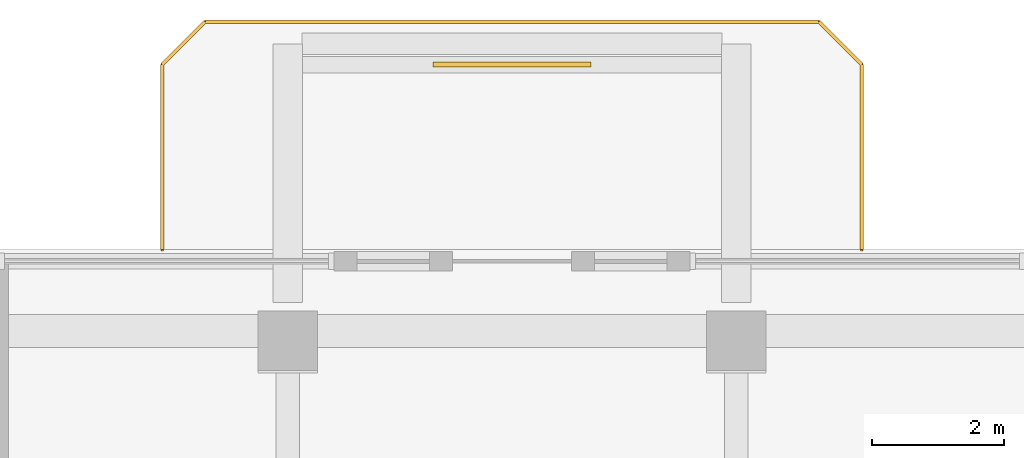
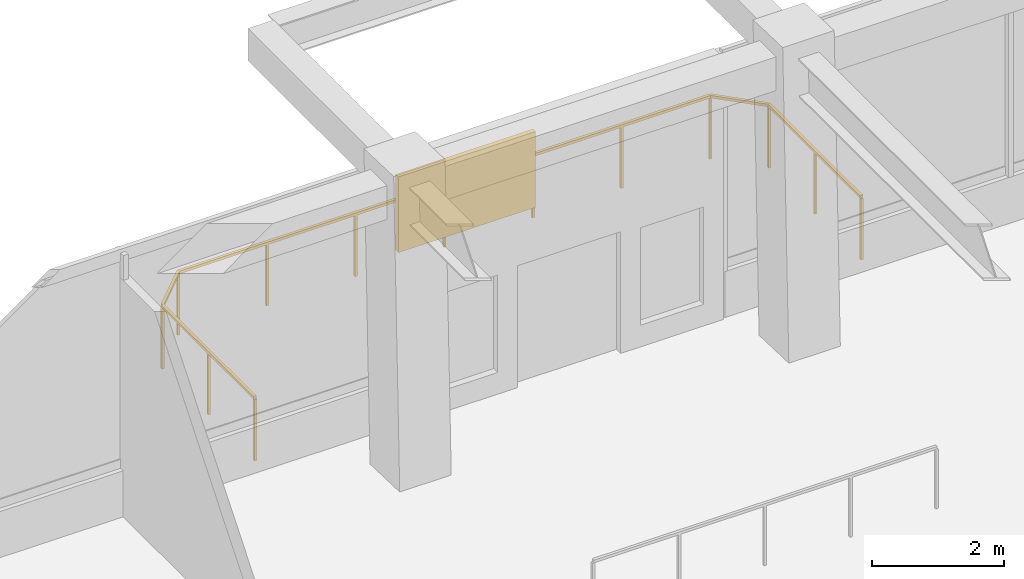
# One storey, part 14 of 14: 1 railing, 1 shading device.
"""IFC4 building model written with IfcOpenShell, lengths in metres."""

from ifc_helpers import new_model, si_unit, derived_unit, direction, frame, origin, origin_2d, place, context, subcontext, project, spatial, rectangle, extrude, material, layer, layer_set, type_object, element, save


model = new_model("IFC4")

# Units and contexts
model_context = context("Model", 3, precision=1e-05, world=origin(), true_north=direction((0.0, 1.0)))
body_context = subcontext(model_context, "Body", "Model", "MODEL_VIEW")
ifc_project = project(units=[si_unit("LENGTHUNIT", "METRE"), si_unit("AREAUNIT", "SQUARE_METRE"), si_unit("VOLUMEUNIT", "CUBIC_METRE"), si_unit("PLANEANGLEUNIT", "RADIAN"), si_unit("MASSUNIT", "GRAM", prefix="KILO"), derived_unit("THERMALTRANSMITTANCEUNIT", [(si_unit("POWERUNIT", "WATT"), 1), (si_unit("LENGTHUNIT", "METRE"), -2), (si_unit("THERMODYNAMICTEMPERATUREUNIT", "KELVIN"), -1)])], contexts=[model_context])

# Site, building, storey
site_placement = place(None, origin())
site = spatial("IfcSite", under=ifc_project, at=site_placement, CompositionType="ELEMENT")
building_placement = place(site_placement, origin())
building = spatial("IfcBuilding", under=site, at=building_placement, Name="Koralith Skygarden Medical Center", CompositionType="ELEMENT")
storey_placement = place(building_placement, frame((0.0, 0.0, 182.699951171875)))
storey = spatial("IfcBuildingStorey", under=building, at=storey_placement, Name="L47", CompositionType="ELEMENT", Elevation=182.699951171875)

# Railing
ifc_material_1 = material(Name="Steel ASTM A500 Grade C", Category="steel")
railing_type = type_object("IfcRailingType", Name="Outdoor Terrace & Balcony Safety Guardrail 1180", PredefinedType="GUARDRAIL", material=ifc_material_1)
railing_placement = place(storey_placement, frame((42.300048828125, 47.449951171875, 0.0)))
element("IfcRailing", 1, at=railing_placement, inside=storey, type_object=railing_type, Name="L47 N Balcony Perimeter Guardrail", PredefinedType="GUARDRAIL", context=body_context, shape_type="SweptSolid", body=[
    extrude(rectangle(XDim=0.050048828125, YDim=0.050048828125, at=origin_2d()), frame((0.0, 0.001953125, 1.15478515625), z_axis=(0.0, 1.0, 0.0), x_axis=(-1.0, 0.0, 0.0)), (0.0, 0.0, 1.0), 2.797119140625),
    extrude(rectangle(XDim=0.050048828125, YDim=0.050048828125, at=origin_2d()), frame((-0.00146484375, 2.802490234375, 1.15478515625), z_axis=(-0.707239558722, 0.706973978714, 0.0), x_axis=(-0.706973978714, -0.707239558722, 0.0)), (0.0, 0.0, 1.0), 0.915283203125),
    extrude(rectangle(XDim=0.050048828125, YDim=0.050048828125, at=origin_2d()), frame((-0.652099609375, 3.450927734375, 1.15478515625), z_axis=(-1.0, 0.0, 0.0), x_axis=(0.0, -1.0, 0.0)), (0.0, 0.0, 1.0), 9.2958984375),
    extrude(rectangle(XDim=0.050048828125, YDim=0.050048828125, at=origin_2d()), frame((-9.951416015625, 3.449462890625, 1.15478515625), z_axis=(-0.707239558722, -0.706973978714, 0.0), x_axis=(0.706973978714, -0.707239558722, 0.0)), (0.0, 0.0, 1.0), 0.915283203125),
    extrude(rectangle(XDim=0.050048828125, YDim=0.050048828125, at=origin_2d()), frame((-10.60009765625, 2.799072265625, 1.15478515625), z_axis=(0.0, -1.0, 0.0), x_axis=(1.0, 0.0, 0.0)), (0.0, 0.0, 1.0), 2.797119140625),
    extrude(rectangle(XDim=0.0419921875, YDim=0.0419921875, at=origin_2d()), origin(), (0.0, 0.0, 1.0), 1.1279296875),
    extrude(rectangle(XDim=0.0419921875, YDim=0.0419921875, at=origin_2d()), frame((0.0, 1.400390625, 0.0)), (0.0, 0.0, 1.0), 1.1279296875),
    extrude(rectangle(XDim=0.0419921875, YDim=0.0419921875, at=origin_2d()), frame((0.0, 2.801025390625, 0.0)), (0.0, 0.0, 1.0), 1.1279296875),
    extrude(rectangle(XDim=0.0419921875, YDim=0.0419921875, at=origin_2d()), frame((-0.650146484375, 3.450927734375, 0.0)), (0.0, 0.0, 1.0), 1.1279296875),
    extrude(rectangle(XDim=0.0419921875, YDim=0.0419921875, at=origin_2d()), frame((-2.2001953125, 3.450927734375, 0.0)), (0.0, 0.0, 1.0), 1.1279296875),
    extrude(rectangle(XDim=0.0419921875, YDim=0.0419921875, at=origin_2d()), frame((-3.75, 3.450927734375, 0.0)), (0.0, 0.0, 1.0), 1.1279296875),
    extrude(rectangle(XDim=0.0419921875, YDim=0.0419921875, at=origin_2d()), frame((-5.300048828125, 3.450927734375, 0.0)), (0.0, 0.0, 1.0), 1.1279296875),
    extrude(rectangle(XDim=0.0419921875, YDim=0.0419921875, at=origin_2d()), frame((-6.85009765625, 3.450927734375, 0.0)), (0.0, 0.0, 1.0), 1.1279296875),
    extrude(rectangle(XDim=0.0419921875, YDim=0.0419921875, at=origin_2d()), frame((-8.39990234375, 3.450927734375, 0.0)), (0.0, 0.0, 1.0), 1.1279296875),
    extrude(rectangle(XDim=0.0419921875, YDim=0.0419921875, at=origin_2d()), frame((-9.949951171875, 3.450927734375, 0.0)), (0.0, 0.0, 1.0), 1.1279296875),
    extrude(rectangle(XDim=0.0419921875, YDim=0.0419921875, at=origin_2d()), frame((-10.60009765625, 2.801025390625, 0.0)), (0.0, 0.0, 1.0), 1.1279296875),
    extrude(rectangle(XDim=0.0419921875, YDim=0.0419921875, at=origin_2d()), frame((-10.60009765625, 1.400390625, 0.0)), (0.0, 0.0, 1.0), 1.1279296875),
    extrude(rectangle(XDim=0.0419921875, YDim=0.0419921875, at=origin_2d()), frame((-10.60009765625, 0.0, 0.0)), (0.0, 0.0, 1.0), 1.1279296875),
])

# Shading device
ifc_material_2 = material(Name="Aluminium 6063-T6", Category="aluminium")
ifc_layer = layer(ifc_material_2, 0.080078125)
ifc_layer_set = layer_set([ifc_layer], Name="Aluminium 6063-T6")
shading_device_type = type_object("IfcShadingDeviceType", Name="Perforated Biophilic Balcony Trellis Screen", PredefinedType="USERDEFINED", material=ifc_layer_set)
shading_device_placement = place(storey_placement, frame((37.0, 50.2509765625, 0.72021484375), z_axis=(0.0, 0.0, 1.0), x_axis=(1.0, 0.0, 0.0)))
element("IfcShadingDevice", 2, at=shading_device_placement, inside=storey, type_object=shading_device_type, Name="L47 N Biophilic Balcony Trellis Screen", ObjectType="HURRICANE SCREEN", PredefinedType="USERDEFINED", context=body_context, shape_type="SweptSolid", body=[
    extrude(rectangle(XDim=2.39990234375, YDim=0.080078125, at=origin_2d()), origin(), (0.0, 0.0, 1.0), 1.39990234375),
])

save(model, "model.ifc")
